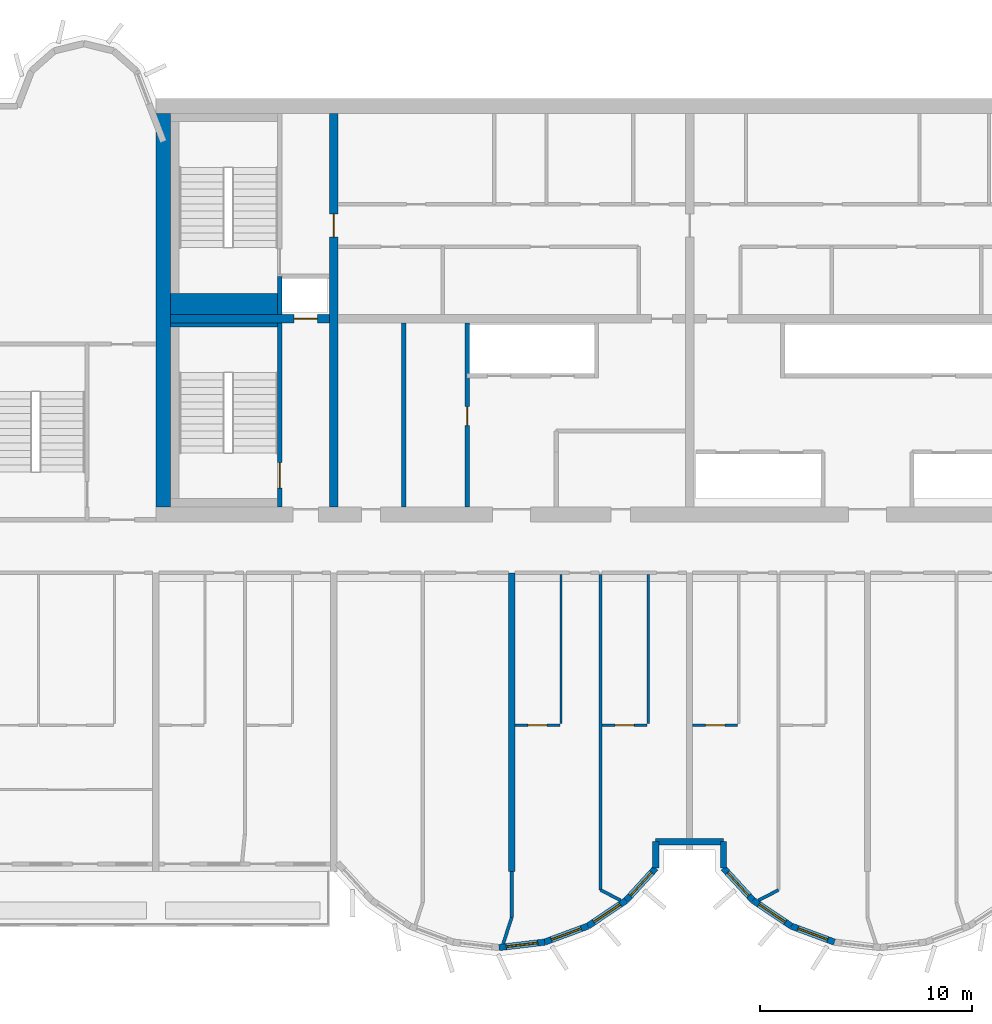
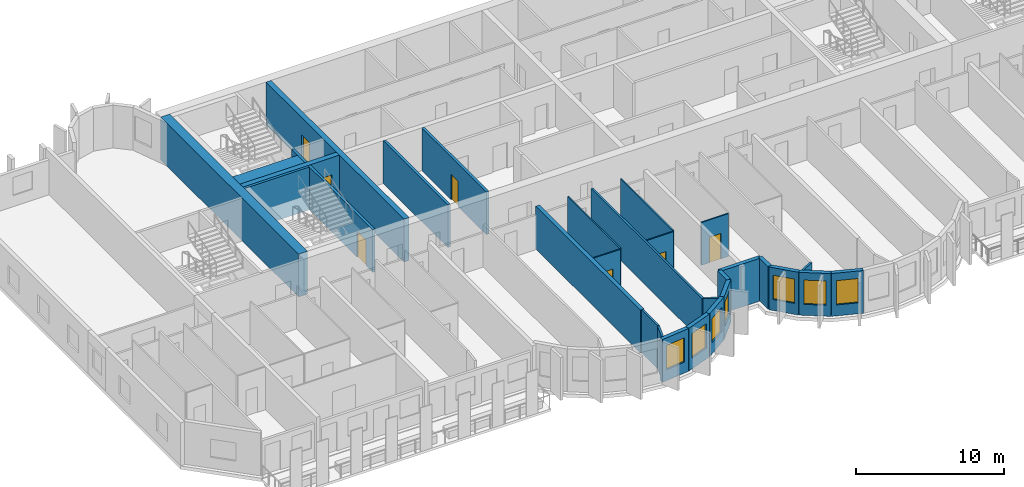
# One storey, part 4 of 13: 30 walls, 7 doors, 7 windows, 14 openings.
"""IFC4 building model written with IfcOpenShell, lengths in metres."""

from ifc_helpers import new_model, si_unit, direction, frame, frame_2d, origin, place, context, subcontext, project, spatial, rectangle, extrude, source, transform, mapped, material, layer, layer_set, type_object, element, fill, save


model = new_model("IFC4")

# Units and contexts
model_context = context("Model", 3, precision=1e-05, world=origin(), true_north=direction((0.0, 1.0)))
body_context = subcontext(model_context, "Body", "Model", "MODEL_VIEW")
ifc_project = project(units=[si_unit("LENGTHUNIT", "METRE"), si_unit("AREAUNIT", "SQUARE_METRE"), si_unit("VOLUMEUNIT", "CUBIC_METRE"), si_unit("PLANEANGLEUNIT", "RADIAN"), si_unit("MASSUNIT", "GRAM", prefix="KILO")], contexts=[model_context])

# Site, building, storey
site_placement = place(None, origin())
site = spatial("IfcSite", under=ifc_project, at=site_placement, CompositionType="ELEMENT")
building_placement = place(site_placement, origin())
building = spatial("IfcBuilding", under=site, at=building_placement, Name="Vanashikhar Sky Hotel", CompositionType="ELEMENT")
storey_placement = place(building_placement, frame((0.0, 0.0, 170.60009765625)))
storey = spatial("IfcBuildingStorey", under=building, at=storey_placement, Name="L41", CompositionType="ELEMENT", Elevation=170.60009765625)

# Wall, opening, door
ifc_material_1 = material(Name="Concrete M60", Category="concrete")
ifc_layer_1 = layer(ifc_material_1, 0.39990234375)
ifc_layer_set_1 = layer_set([ifc_layer_1], Name="RC core inner wall 400 Concrete M60")
wall_type_1 = type_object("IfcWallType", Name="RC core inner wall 400 Concrete M60", PredefinedType="SHEAR", material=ifc_layer_set_1)
shared_shape_1 = source(origin(), body_context, "Body", "SweptSolid", [
    extrude(rectangle(XDim=18.60009765625, YDim=0.39990234375, at=frame_2d((9.300048828125, 0.0))), origin(), (0.0, 0.0, 1.0), 3.52001953125),
])
wall_1_placement = place(storey_placement, frame((33.60009765625, 22.699951171875, 0.0), z_axis=(0.0, 0.0, 1.0), x_axis=(0.0, 1.0, 0.0)))
wall_1 = element("IfcWall", 1, at=wall_1_placement, inside=storey, type_object=wall_type_1, Name="KW-L41-KX1", PredefinedType="SHEAR", context=body_context, shape_type="MappedRepresentation", body=[
    mapped(shared_shape_1, transform((0.0, 0.0, 0.0), scale=1.0)),
])
shared_shape_2 = source(origin(), body_context, "Body", "SweptSolid", [
    extrude(rectangle(XDim=1.10009765625, YDim=2.10009765625, at=frame_2d((0.550048828125, 1.050048828125))), frame((0.0, 0.2099609375, 0.0), z_axis=(0.0, -1.0, 0.0), x_axis=(1.0, 0.0, 0.0)), (0.0, 0.0, 1.0), 0.419921875),
])
opening_1_placement = place(wall_1_placement, frame((12.75, 0.0, 0.0)))
opening_1 = element("IfcOpeningElement", 2, at=opening_1_placement, cuts=wall_1, Name="Opening DC-4-C", PredefinedType="OPENING", context=body_context, shape_type="MappedRepresentation", body=[
    mapped(shared_shape_2, transform((0.0, 0.0, 0.0), scale=1.0)),
])
ifc_material_2 = material(Name="Steel", Category="steel")
door_type_1 = type_object("IfcDoorType", Name="Service door 1100 FD60", OperationType="NOTDEFINED", PredefinedType="DOOR", material=ifc_material_2)
shared_shape_3 = source(origin(), body_context, "Body", "SweptSolid", [
    extrude(rectangle(XDim=1.10009765625, YDim=2.10009765625, at=frame_2d((0.550048828125, 1.050048828125))), frame((0.0, 0.02490234375, 0.0), z_axis=(0.0, -1.0, 0.0), x_axis=(1.0, 0.0, 0.0)), (0.0, 0.0, 1.0), 0.050048828125),
])
door_1_placement = place(opening_1_placement, origin())
door_1 = element("IfcDoor", 3, at=door_1_placement, inside=storey, type_object=door_type_1, Name="Service door 1100 FD60", OperationType="SINGLE_SWING_LEFT", OverallHeight=2.10009765625, OverallWidth=1.10009765625, PredefinedType="DOOR", context=body_context, shape_type="MappedRepresentation", body=[
    mapped(shared_shape_3, transform((0.0, 0.0, 0.0), scale=1.0)),
])
fill(opening_1, door_1)

# Wall
ifc_layer_2 = layer(ifc_material_1, 0.699951171875)
ifc_layer_set_2 = layer_set([ifc_layer_2], Name="RC core shell wall 700 Concrete M60")
wall_type_2 = type_object("IfcWallType", Name="RC core shell wall 700 Concrete M60", PredefinedType="SHEAR", material=ifc_layer_set_2)
shared_shape_4 = source(origin(), body_context, "Body", "SweptSolid", [
    extrude(rectangle(XDim=18.60009765625, YDim=0.699951171875, at=frame_2d((9.300048828125, 0.0))), origin(), (0.0, 0.0, 1.0), 3.52001953125),
])
wall_2_placement = place(storey_placement, frame((25.550048828125, 22.699951171875, 0.0), z_axis=(0.0, 0.0, 1.0), x_axis=(0.0, 1.0, 0.0)))
element("IfcWall", 4, at=wall_2_placement, inside=storey, type_object=wall_type_2, Name="KW-L41-KW", PredefinedType="SHEAR", context=body_context, shape_type="MappedRepresentation", body=[
    mapped(shared_shape_4, transform((0.0, 0.0, 0.0), scale=1.0)),
])

# Wall, opening, door
shared_shape_5 = source(origin(), body_context, "Body", "SweptSolid", [
    extrude(rectangle(XDim=7.5, YDim=0.39990234375, at=frame_2d((3.75, 0.0))), origin(), (0.0, 0.0, 1.0), 3.52001953125),
])
wall_3_placement = place(storey_placement, frame((25.89990234375, 31.60009765625, 0.0), z_axis=(0.0, 0.0, 1.0), x_axis=(1.0, 0.0, 0.0)))
wall_3 = element("IfcWall", 5, at=wall_3_placement, inside=storey, type_object=wall_type_1, Name="KW-L41-KY1", PredefinedType="SHEAR", context=body_context, shape_type="MappedRepresentation", body=[
    mapped(shared_shape_5, transform((0.0, 0.0, 0.0), scale=1.0)),
])
opening_2_placement = place(wall_3_placement, frame((5.824951171875, 0.0, 0.0)))
opening_2 = element("IfcOpeningElement", 6, at=opening_2_placement, cuts=wall_3, Name="Opening LD", PredefinedType="OPENING", context=body_context, shape_type="MappedRepresentation", body=[
    mapped(shared_shape_2, transform((0.0, 0.0, 0.0), scale=1.0)),
])
ifc_material_3 = material(Name="Stainless steel", Category="steel")
door_type_2 = type_object("IfcDoorType", Name="Lift landing door 1100", OperationType="NOTDEFINED", PredefinedType="DOOR", material=ifc_material_3)
door_2_placement = place(opening_2_placement, origin())
door_2 = element("IfcDoor", 7, at=door_2_placement, inside=storey, type_object=door_type_2, Name="Lift landing door 1100", OperationType="SLIDING_TO_LEFT", OverallHeight=2.10009765625, OverallWidth=1.10009765625, PredefinedType="DOOR", context=body_context, shape_type="MappedRepresentation", body=[
    mapped(shared_shape_3, transform((0.0, 0.0, 0.0), scale=1.0)),
])
fill(opening_2, door_2)

# Wall
ifc_layer_3 = layer(ifc_material_1, 0.300048828125)
ifc_layer_set_3 = layer_set([ifc_layer_3], Name="RC shear wall 300 Concrete M60")
wall_type_3 = type_object("IfcWallType", Name="RC shear wall 300 Concrete M60", PredefinedType="SHEAR", material=ifc_layer_set_3)
shared_shape_6 = source(origin(), body_context, "Body", "SweptSolid", [
    extrude(rectangle(XDim=14.10009765625, YDim=0.300048828125, at=frame_2d((7.050048828125, 0.0))), origin(), (0.0, 0.0, 1.0), 3.52001953125),
])
wall_4_placement = place(storey_placement, frame((42.0, 5.5, 0.0), z_axis=(0.0, 0.0, 1.0), x_axis=(0.0, 1.0, 0.0)))
element("IfcWall", 8, at=wall_4_placement, inside=storey, type_object=wall_type_3, Name="CW-L41-XW06-1", PredefinedType="SHEAR", context=body_context, shape_type="MappedRepresentation", body=[
    mapped(shared_shape_6, transform((0.0, 0.0, 0.0), scale=1.0)),
])

# Wall, opening, window
ifc_material_4 = material(Name="Concrete M50", Category="concrete")
ifc_layer_4 = layer(ifc_material_4, 0.300048828125)
ifc_layer_set_4 = layer_set([ifc_layer_4], Name="Lobe wall 300")
wall_type_4 = type_object("IfcWallType", Name="Lobe wall 300", PredefinedType="SOLIDWALL", material=ifc_layer_set_4)
shared_shape_7 = source(origin(), body_context, "Body", "SweptSolid", [
    extrude(rectangle(XDim=2.17578125, YDim=0.300048828125, at=frame_2d((1.087890625, 0.0))), origin(), (0.0, 0.0, 1.0), 3.52001953125),
])
wall_5_placement = place(storey_placement, frame((45.59912109375, 2.91650390625, 0.0), z_axis=(0.0, 0.0, 1.0), x_axis=(0.829625727223, 0.558319937607, 0.0)))
wall_5 = element("IfcWall", 9, at=wall_5_placement, inside=storey, type_object=wall_type_4, Name="Lobe wall", PredefinedType="SOLIDWALL", context=body_context, shape_type="MappedRepresentation", body=[
    mapped(shared_shape_7, transform((0.0, 0.0, 0.0), scale=1.0)),
])
shared_shape_8 = source(origin(), body_context, "Body", "SweptSolid", [
    extrude(rectangle(XDim=1.5, YDim=2.0, at=frame_2d((0.75, 1.0))), frame((0.0, 0.16015625, 0.0), z_axis=(0.0, -1.0, 0.0), x_axis=(1.0, 0.0, 0.0)), (0.0, 0.0, 1.0), 0.320068359375),
])
opening_3_placement = place(wall_5_placement, frame((0.337890625, 0.0, 0.89990234375)))
opening_3 = element("IfcOpeningElement", 10, at=opening_3_placement, cuts=wall_5, Name="Opening WN-2", PredefinedType="OPENING", context=body_context, shape_type="MappedRepresentation", body=[
    mapped(shared_shape_8, transform((0.0, 0.0, 0.0), scale=1.0)),
])
ifc_material_5 = material(Name="Glass", Category="glass")
window_type = type_object("IfcWindowType", Name="Lobe window 1500 x 2000", PartitioningType="SINGLE_PANEL", PredefinedType="WINDOW", material=ifc_material_5)
shared_shape_9 = source(origin(), body_context, "Body", "SweptSolid", [
    extrude(rectangle(XDim=1.5, YDim=2.0, at=frame_2d((0.75, 1.0))), frame((0.0, 0.030029296875, 0.0), z_axis=(0.0, -1.0, 0.0), x_axis=(1.0, 0.0, 0.0)), (0.0, 0.0, 1.0), 0.06005859375),
])
window_1_placement = place(opening_3_placement, origin())
window_1 = element("IfcWindow", 11, at=window_1_placement, inside=storey, type_object=window_type, Name="Window WN-2", OverallHeight=2.0, OverallWidth=1.5, PartitioningType="SINGLE_PANEL", PredefinedType="WINDOW", context=body_context, shape_type="MappedRepresentation", body=[
    mapped(shared_shape_9, transform((0.0, 0.0, 0.0), scale=1.0)),
])
fill(opening_3, window_1)

wall_6_placement = place(storey_placement, frame((53.395751953125, 4.13134765625, 0.0), z_axis=(0.0, 0.0, 1.0), x_axis=(0.829590746428, -0.558371913192, 0.0)))
wall_6 = element("IfcWall", 12, at=wall_6_placement, inside=storey, type_object=wall_type_4, Name="Lobe wall", PredefinedType="SOLIDWALL", context=body_context, shape_type="MappedRepresentation", body=[
    mapped(shared_shape_7, transform((0.0, 0.0, 0.0), scale=1.0)),
])
opening_4_placement = place(wall_6_placement, frame((0.337890625, 0.0, 0.89990234375)))
opening_4 = element("IfcOpeningElement", 13, at=opening_4_placement, cuts=wall_6, Name="Opening WN-2", PredefinedType="OPENING", context=body_context, shape_type="MappedRepresentation", body=[
    mapped(shared_shape_8, transform((0.0, 0.0, 0.0), scale=1.0)),
])
window_2_placement = place(opening_4_placement, origin())
window_2 = element("IfcWindow", 14, at=window_2_placement, inside=storey, type_object=window_type, Name="Window WN-2", OverallHeight=2.0, OverallWidth=1.5, PartitioningType="SINGLE_PANEL", PredefinedType="WINDOW", context=body_context, shape_type="MappedRepresentation", body=[
    mapped(shared_shape_9, transform((0.0, 0.0, 0.0), scale=1.0)),
])
fill(opening_4, window_2)

wall_7_placement = place(storey_placement, frame((55.20068359375, 2.91650390625, 0.0), z_axis=(0.0, 0.0, 1.0), x_axis=(0.93754555999, -0.347862505801, 0.0)))
wall_7 = element("IfcWall", 15, at=wall_7_placement, inside=storey, type_object=wall_type_4, Name="Lobe wall", PredefinedType="SOLIDWALL", context=body_context, shape_type="MappedRepresentation", body=[
    mapped(shared_shape_7, transform((0.0, 0.0, 0.0), scale=1.0)),
])
opening_5_placement = place(wall_7_placement, frame((0.337890625, 0.0, 0.89990234375)))
opening_5 = element("IfcOpeningElement", 16, at=opening_5_placement, cuts=wall_7, Name="Opening WN-2", PredefinedType="OPENING", context=body_context, shape_type="MappedRepresentation", body=[
    mapped(shared_shape_8, transform((0.0, 0.0, 0.0), scale=1.0)),
])
window_3_placement = place(opening_5_placement, origin())
window_3 = element("IfcWindow", 17, at=window_3_placement, inside=storey, type_object=window_type, Name="Window WN-2", OverallHeight=2.0, OverallWidth=1.5, PartitioningType="SINGLE_PANEL", PredefinedType="WINDOW", context=body_context, shape_type="MappedRepresentation", body=[
    mapped(shared_shape_9, transform((0.0, 0.0, 0.0), scale=1.0)),
])
fill(opening_5, window_3)

shared_shape_10 = source(origin(), body_context, "Body", "SweptSolid", [
    extrude(rectangle(XDim=2.1748046875, YDim=0.300048828125, at=frame_2d((1.08740234375, 0.0))), origin(), (0.0, 0.0, 1.0), 3.52001953125),
])
wall_8_placement = place(storey_placement, frame((41.39990234375, 1.90283203125, 0.0), z_axis=(0.0, 0.0, 1.0), x_axis=(0.993002698611, 0.118091661648, 0.0)))
wall_8 = element("IfcWall", 18, at=wall_8_placement, inside=storey, type_object=wall_type_4, Name="Lobe wall", PredefinedType="SOLIDWALL", context=body_context, shape_type="MappedRepresentation", body=[
    mapped(shared_shape_10, transform((0.0, 0.0, 0.0), scale=1.0)),
])
opening_6_placement = place(wall_8_placement, frame((0.33740234375, 0.0, 0.89990234375)))
opening_6 = element("IfcOpeningElement", 19, at=opening_6_placement, cuts=wall_8, Name="Opening WN-2", PredefinedType="OPENING", context=body_context, shape_type="MappedRepresentation", body=[
    mapped(shared_shape_8, transform((0.0, 0.0, 0.0), scale=1.0)),
])
window_4_placement = place(opening_6_placement, origin())
window_4 = element("IfcWindow", 20, at=window_4_placement, inside=storey, type_object=window_type, Name="Window WN-2", OverallHeight=2.0, OverallWidth=1.5, PartitioningType="SINGLE_PANEL", PredefinedType="WINDOW", context=body_context, shape_type="MappedRepresentation", body=[
    mapped(shared_shape_9, transform((0.0, 0.0, 0.0), scale=1.0)),
])
fill(opening_6, window_4)

shared_shape_11 = source(origin(), body_context, "Body", "SweptSolid", [
    extrude(rectangle(XDim=2.175537109375, YDim=0.300048828125, at=frame_2d((1.087890625, 0.0))), origin(), (0.0, 0.0, 1.0), 3.52001953125),
])
wall_9_placement = place(storey_placement, frame((43.5595703125, 2.15966796875, 0.0), z_axis=(0.0, 0.0, 1.0), x_axis=(0.937531979054, 0.347899106424, 0.0)))
wall_9 = element("IfcWall", 21, at=wall_9_placement, inside=storey, type_object=wall_type_4, Name="Lobe wall", PredefinedType="SOLIDWALL", context=body_context, shape_type="MappedRepresentation", body=[
    mapped(shared_shape_11, transform((0.0, 0.0, 0.0), scale=1.0)),
])
opening_7_placement = place(wall_9_placement, frame((0.337890625, 0.0, 0.89990234375)))
opening_7 = element("IfcOpeningElement", 22, at=opening_7_placement, cuts=wall_9, Name="Opening WN-2", PredefinedType="OPENING", context=body_context, shape_type="MappedRepresentation", body=[
    mapped(shared_shape_8, transform((0.0, 0.0, 0.0), scale=1.0)),
])
window_5_placement = place(opening_7_placement, origin())
window_5 = element("IfcWindow", 23, at=window_5_placement, inside=storey, type_object=window_type, Name="Window WN-2", OverallHeight=2.0, OverallWidth=1.5, PartitioningType="SINGLE_PANEL", PredefinedType="WINDOW", context=body_context, shape_type="MappedRepresentation", body=[
    mapped(shared_shape_9, transform((0.0, 0.0, 0.0), scale=1.0)),
])
fill(opening_7, window_5)

shared_shape_12 = source(origin(), body_context, "Body", "SweptSolid", [
    extrude(rectangle(XDim=2.066650390625, YDim=0.300048828125, at=frame_2d((1.033203125, 0.0))), origin(), (0.0, 0.0, 1.0), 3.52001953125),
])
wall_10_placement = place(storey_placement, frame((47.404296875, 4.13134765625, 0.0), z_axis=(0.0, 0.0, 1.0), x_axis=(0.675355439877, 0.737492393065, 0.0)))
wall_10 = element("IfcWall", 24, at=wall_10_placement, inside=storey, type_object=wall_type_4, Name="Lobe wall", PredefinedType="SOLIDWALL", context=body_context, shape_type="MappedRepresentation", body=[
    mapped(shared_shape_12, transform((0.0, 0.0, 0.0), scale=1.0)),
])
opening_8_placement = place(wall_10_placement, frame((0.283447265625, 0.0, 0.89990234375)))
opening_8 = element("IfcOpeningElement", 25, at=opening_8_placement, cuts=wall_10, Name="Opening WN-2", PredefinedType="OPENING", context=body_context, shape_type="MappedRepresentation", body=[
    mapped(shared_shape_8, transform((0.0, 0.0, 0.0), scale=1.0)),
])
window_6_placement = place(opening_8_placement, origin())
window_6 = element("IfcWindow", 26, at=window_6_placement, inside=storey, type_object=window_type, Name="Window WN-2", OverallHeight=2.0, OverallWidth=1.5, PartitioningType="SINGLE_PANEL", PredefinedType="WINDOW", context=body_context, shape_type="MappedRepresentation", body=[
    mapped(shared_shape_9, transform((0.0, 0.0, 0.0), scale=1.0)),
])
fill(opening_8, window_6)

wall_11_placement = place(storey_placement, frame((52.0, 5.655517578125, 0.0), z_axis=(0.0, 0.0, 1.0), x_axis=(0.675355439877, -0.737492393065, 0.0)))
wall_11 = element("IfcWall", 27, at=wall_11_placement, inside=storey, type_object=wall_type_4, Name="Lobe wall", PredefinedType="SOLIDWALL", context=body_context, shape_type="MappedRepresentation", body=[
    mapped(shared_shape_12, transform((0.0, 0.0, 0.0), scale=1.0)),
])
opening_9_placement = place(wall_11_placement, frame((0.283447265625, 0.0, 0.89990234375)))
opening_9 = element("IfcOpeningElement", 28, at=opening_9_placement, cuts=wall_11, Name="Opening WN-2", PredefinedType="OPENING", context=body_context, shape_type="MappedRepresentation", body=[
    mapped(shared_shape_8, transform((0.0, 0.0, 0.0), scale=1.0)),
])
window_7_placement = place(opening_9_placement, origin())
window_7 = element("IfcWindow", 29, at=window_7_placement, inside=storey, type_object=window_type, Name="Window WN-2", OverallHeight=2.0, OverallWidth=1.5, PartitioningType="SINGLE_PANEL", PredefinedType="WINDOW", context=body_context, shape_type="MappedRepresentation", body=[
    mapped(shared_shape_9, transform((0.0, 0.0, 0.0), scale=1.0)),
])
fill(opening_9, window_7)

# Walls
shared_shape_13 = source(origin(), body_context, "Body", "SweptSolid", [
    extrude(rectangle(XDim=1.244384765625, YDim=0.300048828125, at=frame_2d((0.6220703125, 0.0))), origin(), (0.0, 0.0, 1.0), 3.52001953125),
])
for number, where, z_axis, x_axis, name in (
    (30, (48.800048828125, 5.655517578125, 0.0), (0.0, 0.0, 1.0), (0.0, 1.0, 0.0), "Groove wall"),
    (31, (52.0, 6.89990234375, 0.0), (0.0, 0.0, 1.0), (0.0, -1.0, 0.0), "Groove wall"),
):
    element("IfcWall", number, at=place(storey_placement, frame(where, z_axis=z_axis, x_axis=x_axis)), inside=storey, type_object=wall_type_4, Name=name, PredefinedType="SOLIDWALL", context=body_context, shape_type="MappedRepresentation", body=[
        mapped(shared_shape_13, transform((0.0, 0.0, 0.0), scale=1.0)),
    ])
shared_shape_14 = source(origin(), body_context, "Body", "SweptSolid", [
    extrude(rectangle(XDim=3.199951171875, YDim=0.300048828125, at=frame_2d((1.60009765625, 0.0))), origin(), (0.0, 0.0, 1.0), 3.52001953125),
])
wall_12_placement = place(storey_placement, frame((48.800048828125, 6.89990234375, 0.0), z_axis=(0.0, 0.0, 1.0), x_axis=(1.0, 0.0, 0.0)))
element("IfcWall", 32, at=wall_12_placement, inside=storey, type_object=wall_type_4, Name="Groove wall", PredefinedType="SOLIDWALL", context=body_context, shape_type="MappedRepresentation", body=[
    mapped(shared_shape_14, transform((0.0, 0.0, 0.0), scale=1.0)),
])

# Wall, opening, door
ifc_material_6 = material(Name="Gypsum board partition")
ifc_layer_5 = layer(ifc_material_6, 0.14990234375)
ifc_layer_set_5 = layer_set([ifc_layer_5], Name="Service partition 150")
wall_type_5 = type_object("IfcWallType", Name="Service partition 150", PredefinedType="PARTITIONING", material=ifc_layer_set_5)
shared_shape_15 = source(origin(), body_context, "Body", "SweptSolid", [
    extrude(rectangle(XDim=8.699951171875, YDim=0.199951171875, at=frame_2d((4.35009765625, 0.0))), origin(), (0.0, 0.0, 1.0), 3.52001953125),
])
wall_13_placement = place(storey_placement, frame((39.89990234375, 22.699951171875, 0.0), z_axis=(0.0, 0.0, 1.0), x_axis=(0.0, 1.0, 0.0)))
wall_13 = element("IfcWall", 33, at=wall_13_placement, inside=storey, type_object=wall_type_5, Name="Service partition 150", PredefinedType="PARTITIONING", context=body_context, shape_type="MappedRepresentation", body=[
    mapped(shared_shape_15, transform((0.0, 0.0, 0.0), scale=1.0)),
])
shared_shape_16 = source(origin(), body_context, "Body", "SweptSolid", [
    extrude(rectangle(XDim=0.89990234375, YDim=2.10009765625, at=frame_2d((0.449951171875, 1.050048828125))), frame((0.0, 0.10986328125, 0.0), z_axis=(0.0, -1.0, 0.0), x_axis=(1.0, 0.0, 0.0)), (0.0, 0.0, 1.0), 0.219970703125),
])
opening_10_placement = place(wall_13_placement, frame((3.85009765625, 0.0, 0.0)))
opening_10 = element("IfcOpeningElement", 34, at=opening_10_placement, cuts=wall_13, Name="Opening DC-4-A", PredefinedType="OPENING", context=body_context, shape_type="MappedRepresentation", body=[
    mapped(shared_shape_16, transform((0.0, 0.0, 0.0), scale=1.0)),
])
door_type_3 = type_object("IfcDoorType", Name="Service door 900 FD60", OperationType="NOTDEFINED", PredefinedType="DOOR", material=ifc_material_2)
shared_shape_17 = source(origin(), body_context, "Body", "SweptSolid", [
    extrude(rectangle(XDim=0.89990234375, YDim=2.10009765625, at=frame_2d((0.449951171875, 1.050048828125))), frame((0.0, 0.02490234375, 0.0), z_axis=(0.0, -1.0, 0.0), x_axis=(1.0, 0.0, 0.0)), (0.0, 0.0, 1.0), 0.050048828125),
])
door_3_placement = place(opening_10_placement, origin())
door_3 = element("IfcDoor", 35, at=door_3_placement, inside=storey, type_object=door_type_3, Name="Service door 900 FD60", OperationType="SINGLE_SWING_LEFT", OverallHeight=2.10009765625, OverallWidth=0.89990234375, PredefinedType="DOOR", context=body_context, shape_type="MappedRepresentation", body=[
    mapped(shared_shape_17, transform((0.0, 0.0, 0.0), scale=1.0)),
])
fill(opening_10, door_3)

# Wall
wall_14_placement = place(storey_placement, frame((36.89990234375, 22.699951171875, 0.0), z_axis=(0.0, 0.0, 1.0), x_axis=(0.0, 1.0, 0.0)))
element("IfcWall", 36, at=wall_14_placement, inside=storey, type_object=wall_type_5, Name="Service partition 150", PredefinedType="PARTITIONING", context=body_context, shape_type="MappedRepresentation", body=[
    mapped(shared_shape_15, transform((0.0, 0.0, 0.0), scale=1.0)),
])

# Wall, opening, door
ifc_layer_6 = layer(ifc_material_4, 0.199951171875)
ifc_layer_set_6 = layer_set([ifc_layer_6], Name="Stair wall 200")
wall_type_6 = type_object("IfcWallType", Name="Stair wall 200", PredefinedType="SOLIDWALL", material=ifc_layer_set_6)
shared_shape_18 = source(origin(), body_context, "Body", "SweptSolid", [
    extrude(rectangle(XDim=8.699951171875, YDim=0.199951171875, at=frame_2d((4.35009765625, 0.0))), origin(), (0.0, 0.0, 1.0), 3.52001953125),
])
wall_15_placement = place(storey_placement, frame((31.050048828125, 22.699951171875, 0.0), z_axis=(0.0, 0.0, 1.0), x_axis=(0.0, 1.0, 0.0)))
wall_15 = element("IfcWall", 37, at=wall_15_placement, inside=storey, type_object=wall_type_6, Name="Stair wall 200", PredefinedType="SOLIDWALL", context=body_context, shape_type="MappedRepresentation", body=[
    mapped(shared_shape_18, transform((0.0, 0.0, 0.0), scale=1.0)),
])
shared_shape_19 = source(origin(), body_context, "Body", "SweptSolid", [
    extrude(rectangle(XDim=1.199951171875, YDim=2.10009765625, at=frame_2d((0.60009765625, 1.050048828125))), frame((0.0, 0.10986328125, 0.0), z_axis=(0.0, -1.0, 0.0), x_axis=(1.0, 0.0, 0.0)), (0.0, 0.0, 1.0), 0.219970703125),
])
opening_11_placement = place(wall_15_placement, frame((0.89990234375, 0.0, 0.0)))
opening_11 = element("IfcOpeningElement", 38, at=opening_11_placement, cuts=wall_15, Name="Opening DC-1", PredefinedType="OPENING", context=body_context, shape_type="MappedRepresentation", body=[
    mapped(shared_shape_19, transform((0.0, 0.0, 0.0), scale=1.0)),
])
door_type_4 = type_object("IfcDoorType", Name="Stair door 1200 FD120", OperationType="NOTDEFINED", PredefinedType="DOOR", material=ifc_material_2)
shared_shape_20 = source(origin(), body_context, "Body", "SweptSolid", [
    extrude(rectangle(XDim=1.199951171875, YDim=2.10009765625, at=frame_2d((0.60009765625, 1.050048828125))), frame((0.0, 0.02490234375, 0.0), z_axis=(0.0, -1.0, 0.0), x_axis=(1.0, 0.0, 0.0)), (0.0, 0.0, 1.0), 0.050048828125),
])
door_4_placement = place(opening_11_placement, origin())
door_4 = element("IfcDoor", 39, at=door_4_placement, inside=storey, type_object=door_type_4, Name="Stair door 1200 FD120", OperationType="SINGLE_SWING_LEFT", OverallHeight=2.10009765625, OverallWidth=1.199951171875, PredefinedType="DOOR", context=body_context, shape_type="MappedRepresentation", body=[
    mapped(shared_shape_20, transform((0.0, 0.0, 0.0), scale=1.0)),
])
fill(opening_11, door_4)

# Walls
ifc_material_7 = material(Name="Concrete M40", Category="concrete")
ifc_layer_7 = layer(ifc_material_7, 0.199951171875)
ifc_layer_set_7 = layer_set([ifc_layer_7], Name="Shaft wall 200")
wall_type_7 = type_object("IfcWallType", Name="Shaft wall 200", PredefinedType="SOLIDWALL", material=ifc_layer_set_7)
shared_shape_21 = source(origin(), body_context, "Body", "SweptSolid", [
    extrude(rectangle(XDim=1.800048828125, YDim=0.199951171875, at=frame_2d((0.89990234375, 0.0))), origin(), (0.0, 0.0, 1.0), 3.52001953125),
])
wall_16_placement = place(storey_placement, frame((31.050048828125, 31.800048828125, 0.0), z_axis=(0.0, 0.0, 1.0), x_axis=(0.0, 1.0, 0.0)))
element("IfcWall", 40, at=wall_16_placement, inside=storey, type_object=wall_type_7, Name="Shaft wall 200", PredefinedType="SOLIDWALL", context=body_context, shape_type="MappedRepresentation", body=[
    mapped(shared_shape_21, transform((0.0, 0.0, 0.0), scale=1.0)),
])
ifc_layer_8 = layer(ifc_material_4, 0.199951171875)
ifc_layer_set_8 = layer_set([ifc_layer_8], Name="Stair infill wall 200")
wall_type_8 = type_object("IfcWallType", Name="Stair infill wall 200", PredefinedType="SOLIDWALL", material=ifc_layer_set_8)
shared_shape_22 = source(origin(), body_context, "Body", "SweptSolid", [
    extrude(rectangle(XDim=5.050048828125, YDim=0.199951171875, at=frame_2d((2.52490234375, 0.0))), origin(), (0.0, 0.0, 1.0), 3.52001953125),
])
wall_17_placement = place(storey_placement, frame((25.89990234375, 31.300048828125, 0.0), z_axis=(0.0, 0.0, 1.0), x_axis=(1.0, 0.0, 0.0)))
element("IfcWall", 41, at=wall_17_placement, inside=storey, type_object=wall_type_8, Name="Stair infill wall 200", PredefinedType="SOLIDWALL", context=body_context, shape_type="MappedRepresentation", body=[
    mapped(shared_shape_22, transform((0.0, 0.0, 0.0), scale=1.0)),
])
ifc_layer_9 = layer(ifc_material_4, 1.0)
ifc_layer_set_9 = layer_set([ifc_layer_9], Name="Stair infill wall 1000")
wall_type_9 = type_object("IfcWallType", Name="Stair infill wall 1000", PredefinedType="SOLIDWALL", material=ifc_layer_set_9)
shared_shape_23 = source(origin(), body_context, "Body", "SweptSolid", [
    extrude(rectangle(XDim=5.050048828125, YDim=1.0, at=frame_2d((2.52490234375, 0.0))), origin(), (0.0, 0.0, 1.0), 3.52001953125),
])
wall_18_placement = place(storey_placement, frame((25.89990234375, 32.300048828125, 0.0), z_axis=(0.0, 0.0, 1.0), x_axis=(1.0, 0.0, 0.0)))
element("IfcWall", 42, at=wall_18_placement, inside=storey, type_object=wall_type_9, Name="Stair infill wall 1000", PredefinedType="SOLIDWALL", context=body_context, shape_type="MappedRepresentation", body=[
    mapped(shared_shape_23, transform((0.0, 0.0, 0.0), scale=1.0)),
])
ifc_material_8 = material(Name="Gypsum plasterboard partition")
ifc_layer_10 = layer(ifc_material_8, 0.10009765625)
ifc_layer_set_10 = layer_set([ifc_layer_10], Name="Wet room partition 100")
wall_type_10 = type_object("IfcWallType", Name="Wet room partition 100", PredefinedType="PARTITIONING", material=ifc_layer_set_10)
shared_shape_24 = source(origin(), body_context, "Body", "SweptSolid", [
    extrude(rectangle(XDim=7.0498046875, YDim=0.10009765625, at=frame_2d((3.52490234375, 0.0))), origin(), (0.0, 0.0, 1.0), 3.52001953125),
])
for number, where, z_axis, x_axis, name in (
    (43, (44.324951171875, 12.47509765625, 0.0), (0.0, 0.0, 1.0), (0.0, 1.0, 0.0), "W-L41-PW024"),
    (44, (48.449951171875, 12.47509765625, 0.0), (0.0, 0.0, 1.0), (0.0, 1.0, 0.0), "W-L41-PW027"),
):
    element("IfcWall", number, at=place(storey_placement, frame(where, z_axis=z_axis, x_axis=x_axis)), inside=storey, type_object=wall_type_10, Name=name, PredefinedType="PARTITIONING", context=body_context, shape_type="MappedRepresentation", body=[
        mapped(shared_shape_24, transform((0.0, 0.0, 0.0), scale=1.0)),
    ])
ifc_layer_11 = layer(ifc_material_8, 0.14990234375)
ifc_layer_set_11 = layer_set([ifc_layer_11], Name="Corridor and demising partition 150")
wall_type_11 = type_object("IfcWallType", Name="Corridor and demising partition 150", PredefinedType="PARTITIONING", material=ifc_layer_set_11)
shared_shape_25 = source(origin(), body_context, "Body", "SweptSolid", [
    extrude(rectangle(XDim=2.177978515625, YDim=0.14990234375, at=frame_2d((1.0888671875, 0.0))), origin(), (0.0, 0.0, 1.0), 3.52001953125),
])
wall_19_placement = place(storey_placement, frame((42.0, 3.322021484375, 0.0), z_axis=(0.0, 0.0, 1.0), x_axis=(0.0, 1.0, 0.0)))
element("IfcWall", 45, at=wall_19_placement, inside=storey, type_object=wall_type_11, Name="W-L41-PW057", PredefinedType="PARTITIONING", context=body_context, shape_type="MappedRepresentation", body=[
    mapped(shared_shape_25, transform((0.0, 0.0, 0.0), scale=1.0)),
])
shared_shape_26 = source(origin(), body_context, "Body", "SweptSolid", [
    extrude(rectangle(XDim=1.0576171875, YDim=0.14990234375, at=frame_2d((0.52880859375, 0.0))), origin(), (0.0, 0.0, 1.0), 3.52001953125),
])
wall_20_placement = place(storey_placement, frame((47.139892578125, 4.134033203125, 0.0), z_axis=(0.0, 0.0, 1.0), x_axis=(-0.888723819054, 0.458442988218, 0.0)))
element("IfcWall", 46, at=wall_20_placement, inside=storey, type_object=wall_type_11, Name="W-L41-PW030B0", PredefinedType="PARTITIONING", context=body_context, shape_type="MappedRepresentation", body=[
    mapped(shared_shape_26, transform((0.0, 0.0, 0.0), scale=1.0)),
])
shared_shape_27 = source(origin(), body_context, "Body", "SweptSolid", [
    extrude(rectangle(XDim=1.057861328125, YDim=0.14990234375, at=frame_2d((0.52880859375, 0.0))), origin(), (0.0, 0.0, 1.0), 3.52001953125),
])
wall_21_placement = place(storey_placement, frame((53.659912109375, 4.134033203125, 0.0), z_axis=(0.0, 0.0, 1.0), x_axis=(0.888772319209, 0.458348955063, 0.0)))
element("IfcWall", 47, at=wall_21_placement, inside=storey, type_object=wall_type_11, Name="W-L41-PW037B0", PredefinedType="PARTITIONING", context=body_context, shape_type="MappedRepresentation", body=[
    mapped(shared_shape_27, transform((0.0, 0.0, 0.0), scale=1.0)),
])
shared_shape_28 = source(origin(), body_context, "Body", "SweptSolid", [
    extrude(rectangle(XDim=1.308349609375, YDim=0.14990234375, at=frame_2d((0.654296875, 0.0))), origin(), (0.0, 0.0, 1.0), 3.52001953125),
])
wall_22_placement = place(storey_placement, frame((41.597900390625, 2.076904296875, 0.0), z_axis=(0.0, 0.0, 1.0), x_axis=(0.307313512187, 0.951608325535, 0.0)))
element("IfcWall", 48, at=wall_22_placement, inside=storey, type_object=wall_type_11, Name="W-L41-PW057B0", PredefinedType="PARTITIONING", context=body_context, shape_type="MappedRepresentation", body=[
    mapped(shared_shape_28, transform((0.0, 0.0, 0.0), scale=1.0)),
])
shared_shape_29 = source(origin(), body_context, "Body", "SweptSolid", [
    extrude(rectangle(XDim=14.906005859375, YDim=0.14990234375, at=frame_2d((7.453125, 0.0))), origin(), (0.0, 0.0, 1.0), 3.52001953125),
])
wall_23_placement = place(storey_placement, frame((46.199951171875, 4.618896484375, 0.0), z_axis=(0.0, 0.0, 1.0), x_axis=(0.0, 1.0, 0.0)))
element("IfcWall", 49, at=wall_23_placement, inside=storey, type_object=wall_type_11, Name="W-L41-PW030", PredefinedType="PARTITIONING", context=body_context, shape_type="MappedRepresentation", body=[
    mapped(shared_shape_29, transform((0.0, 0.0, 0.0), scale=1.0)),
])

# Wall, opening, door
shared_shape_30 = source(origin(), body_context, "Body", "SweptSolid", [
    extrude(rectangle(XDim=2.125, YDim=0.10009765625, at=frame_2d((1.0625, 0.0))), origin(), (0.0, 0.0, 1.0), 3.52001953125),
])
wall_24_placement = place(storey_placement, frame((42.14990234375, 12.39990234375, 0.0), z_axis=(0.0, 0.0, 1.0), x_axis=(1.0, 0.0, 0.0)))
wall_24 = element("IfcWall", 50, at=wall_24_placement, inside=storey, type_object=wall_type_10, Name="W-L41-PW025", PredefinedType="PARTITIONING", context=body_context, shape_type="MappedRepresentation", body=[
    mapped(shared_shape_30, transform((0.0, 0.0, 0.0), scale=1.0)),
])
shared_shape_31 = source(origin(), body_context, "Body", "SweptSolid", [
    extrude(rectangle(XDim=0.89990234375, YDim=2.10009765625, at=frame_2d((0.449951171875, 1.050048828125))), frame((0.0, 0.06005859375, 0.0), z_axis=(0.0, -1.0, 0.0), x_axis=(1.0, 0.0, 0.0)), (0.0, 0.0, 1.0), 0.1201171875),
])
opening_12_placement = place(wall_24_placement, frame((0.613037109375, 0.0, 0.0)))
opening_12 = element("IfcOpeningElement", 51, at=opening_12_placement, cuts=wall_24, Name="Opening D-02", PredefinedType="OPENING", context=body_context, shape_type="MappedRepresentation", body=[
    mapped(shared_shape_31, transform((0.0, 0.0, 0.0), scale=1.0)),
])
ifc_material_9 = material(Name="Timber door", Category="wood")
door_type_5 = type_object("IfcDoorType", Name="Internal door 900", OperationType="NOTDEFINED", PredefinedType="DOOR", material=ifc_material_9)
door_5_placement = place(opening_12_placement, origin())
door_5 = element("IfcDoor", 52, at=door_5_placement, inside=storey, type_object=door_type_5, Name="D-L41-015", OperationType="SINGLE_SWING_RIGHT", OverallHeight=2.10009765625, OverallWidth=0.89990234375, PredefinedType="DOOR", context=body_context, shape_type="MappedRepresentation", body=[
    mapped(shared_shape_17, transform((0.0, 0.0, 0.0), scale=1.0)),
])
fill(opening_12, door_5)

wall_25_placement = place(storey_placement, frame((46.27490234375, 12.39990234375, 0.0), z_axis=(0.0, 0.0, 1.0), x_axis=(1.0, 0.0, 0.0)))
wall_25 = element("IfcWall", 53, at=wall_25_placement, inside=storey, type_object=wall_type_10, Name="W-L41-PW028", PredefinedType="PARTITIONING", context=body_context, shape_type="MappedRepresentation", body=[
    mapped(shared_shape_30, transform((0.0, 0.0, 0.0), scale=1.0)),
])
opening_13_placement = place(wall_25_placement, frame((0.613037109375, 0.0, 0.0)))
opening_13 = element("IfcOpeningElement", 54, at=opening_13_placement, cuts=wall_25, Name="Opening D-02", PredefinedType="OPENING", context=body_context, shape_type="MappedRepresentation", body=[
    mapped(shared_shape_31, transform((0.0, 0.0, 0.0), scale=1.0)),
])
door_6_placement = place(opening_13_placement, origin())
door_6 = element("IfcDoor", 55, at=door_6_placement, inside=storey, type_object=door_type_5, Name="D-L41-017", OperationType="SINGLE_SWING_RIGHT", OverallHeight=2.10009765625, OverallWidth=0.89990234375, PredefinedType="DOOR", context=body_context, shape_type="MappedRepresentation", body=[
    mapped(shared_shape_17, transform((0.0, 0.0, 0.0), scale=1.0)),
])
fill(opening_13, door_6)

wall_26_placement = place(storey_placement, frame((50.550048828125, 12.39990234375, 0.0), z_axis=(0.0, 0.0, 1.0), x_axis=(1.0, 0.0, 0.0)))
wall_26 = element("IfcWall", 56, at=wall_26_placement, inside=storey, type_object=wall_type_10, Name="W-L41-PW032", PredefinedType="PARTITIONING", context=body_context, shape_type="MappedRepresentation", body=[
    mapped(shared_shape_30, transform((0.0, 0.0, 0.0), scale=1.0)),
])
opening_14_placement = place(wall_26_placement, frame((0.612060546875, 0.0, 0.0)))
opening_14 = element("IfcOpeningElement", 57, at=opening_14_placement, cuts=wall_26, Name="Opening D-02", PredefinedType="OPENING", context=body_context, shape_type="MappedRepresentation", body=[
    mapped(shared_shape_31, transform((0.0, 0.0, 0.0), scale=1.0)),
])
door_7_placement = place(opening_14_placement, origin())
door_7 = element("IfcDoor", 58, at=door_7_placement, inside=storey, type_object=door_type_5, Name="D-L41-019", OperationType="SINGLE_SWING_RIGHT", OverallHeight=2.10009765625, OverallWidth=0.89990234375, PredefinedType="DOOR", context=body_context, shape_type="MappedRepresentation", body=[
    mapped(shared_shape_17, transform((0.0, 0.0, 0.0), scale=1.0)),
])
fill(opening_14, door_7)

save(model, "model.ifc")
